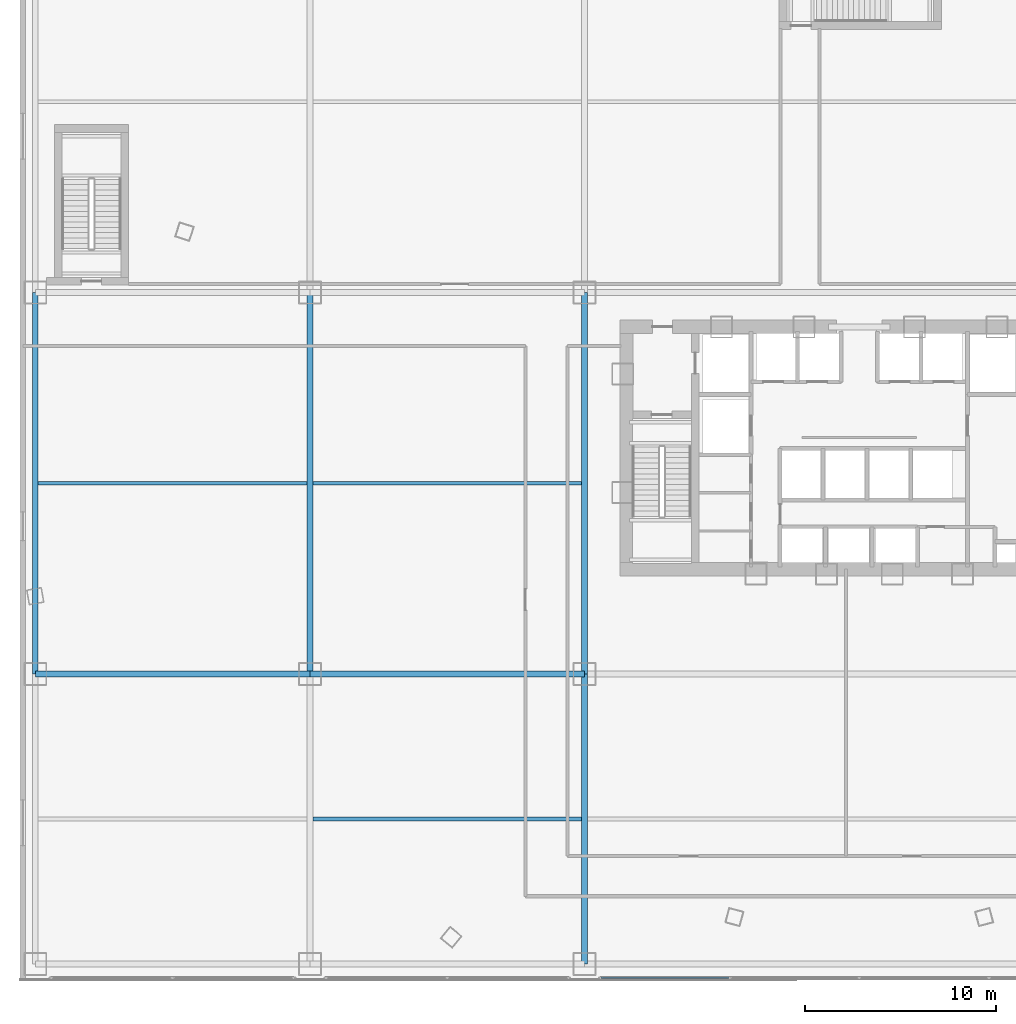
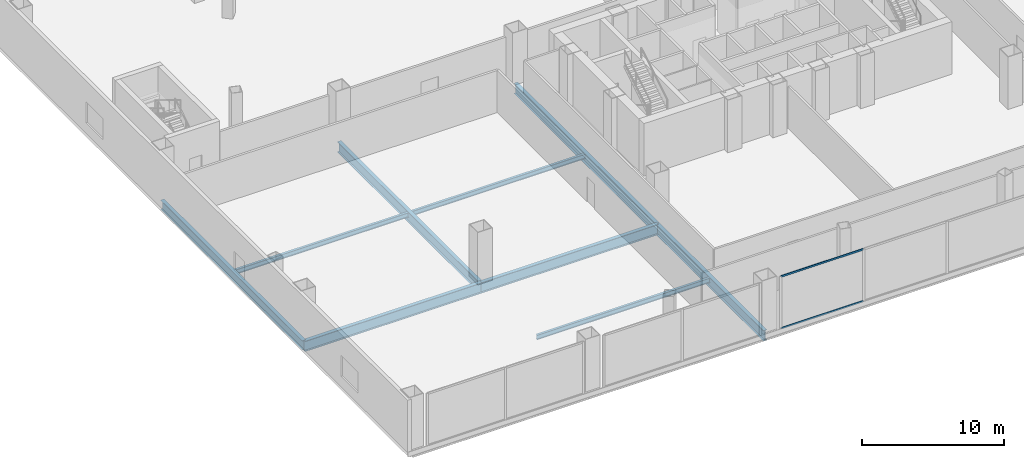
# One storey, part 6 of 40: 9 beams, 2 members, 1 element without a shape of its own.
"""IFC4 building model written with IfcOpenShell, lengths in metres."""

from ifc_helpers import new_model, si_unit, direction, frame, origin, origin_2d, place, context, subcontext, project, spatial, hollow_rectangle, i_section, extrude, source, transform, mapped, material, layer, layer_set, material_profile, profile_set, type_object, element, aggregate, save


model = new_model("IFC4")

# Units and contexts
model_context = context("Model", 3, precision=1e-05, world=origin(), true_north=direction((0.0, 1.0)))
body_context = subcontext(model_context, "Body", "Model", "MODEL_VIEW")
ifc_project = project(units=[si_unit("LENGTHUNIT", "METRE"), si_unit("AREAUNIT", "SQUARE_METRE"), si_unit("VOLUMEUNIT", "CUBIC_METRE"), si_unit("PLANEANGLEUNIT", "RADIAN"), si_unit("MASSUNIT", "GRAM", prefix="KILO"), si_unit("THERMODYNAMICTEMPERATUREUNIT", "KELVIN"), si_unit("POWERUNIT", "WATT")], contexts=[model_context])

# Site, building, storey
site_placement = place(None, origin())
site = spatial("IfcSite", under=ifc_project, at=site_placement, CompositionType="ELEMENT")
building_placement = place(site_placement, origin())
building = spatial("IfcBuilding", under=site, at=building_placement, Name="Yunzhuo Pagoda Commons", CompositionType="ELEMENT")
storey_placement = place(building_placement, frame((0.0, 0.0, 14.39990234375)))
storey = spatial("IfcBuildingStorey", under=building, at=storey_placement, Name="L04", CompositionType="ELEMENT", Elevation=14.39990234375)

# Beams
ifc_material_1 = material(Name="Structural steel Q355B", Category="steel")
ifc_material_profile_1 = material_profile(ifc_material_1, i_section(OverallWidth=0.300048828125, OverallDepth=0.89990234375, WebThickness=0.01611328125, FlangeThickness=0.028076171875, at=origin_2d()), Name="Structural steel Q355B")
ifc_profile_set_1 = profile_set([ifc_material_profile_1], Name="Structural steel Q355B")
beam_type_1 = type_object("IfcBeamType", Name="B-PD1 Beam HN 900x300x16x28", PredefinedType="BEAM", material=ifc_profile_set_1)
shared_shape_1 = source(origin(), body_context, "Body", "SweptSolid", [
    extrude(i_section(OverallWidth=0.300048828125, OverallDepth=0.89990234375, WebThickness=0.01611328125, FlangeThickness=0.028076171875, at=origin_2d()), origin(), (0.0, 0.0, 1.0), 14.39990234375),
])
beam_1_placement = place(storey_placement, frame((4.800048828125, 22.0, -0.72998046875), z_axis=(1.0, 0.0, 0.0), x_axis=(0.0, 1.0, 0.0)))
element("IfcBeam", 1, at=beam_1_placement, inside=storey, type_object=beam_type_1, Name="L04 podium girder EW 2.1", PredefinedType="BEAM", context=body_context, shape_type="MappedRepresentation", body=[
    mapped(shared_shape_1, transform((0.0, 0.0, 0.0), scale=1.0)),
])
shared_shape_2 = source(origin(), body_context, "Body", "SweptSolid", [
    extrude(i_section(OverallWidth=0.300048828125, OverallDepth=0.89990234375, WebThickness=0.01611328125, FlangeThickness=0.028076171875, at=origin_2d()), origin(), (0.0, 0.0, 1.0), 14.400146484375),
])
beam_2_placement = place(storey_placement, frame((19.199951171875, 22.0, -0.72998046875), z_axis=(1.0, 0.0, 0.0), x_axis=(0.0, 1.0, 0.0)))
element("IfcBeam", 2, at=beam_2_placement, inside=storey, type_object=beam_type_1, Name="L04 podium girder EW 2.2", PredefinedType="BEAM", context=body_context, shape_type="MappedRepresentation", body=[
    mapped(shared_shape_2, transform((0.0, 0.0, 0.0), scale=1.0)),
])
ifc_material_profile_2 = material_profile(ifc_material_1, i_section(OverallWidth=0.199951171875, OverallDepth=0.39990234375, WebThickness=0.008056640625, FlangeThickness=0.012939453125, at=origin_2d()), Name="Structural steel Q355B")
ifc_profile_set_2 = profile_set([ifc_material_profile_2], Name="Structural steel Q355B")
beam_type_2 = type_object("IfcBeamType", Name="B-JS1 Joist HN 400x200x8x13", PredefinedType="JOIST", material=ifc_profile_set_2)
shared_shape_3 = source(origin(), body_context, "Body", "SweptSolid", [
    extrude(i_section(OverallWidth=0.199951171875, OverallDepth=0.39990234375, WebThickness=0.008056640625, FlangeThickness=0.012939453125, at=origin_2d()), origin(), (0.0, 0.0, 1.0), 14.08984375),
])
for number, where, z_axis, x_axis, name in (
    (3, (4.955078125, 32.0, -0.47998046875), (1.0, 0.0, 0.0), (0.0, 1.0, 0.0), "L04 podium composite joist 1.2"),
    (4, (19.355224609375, 14.39990234375, -0.47998046875), (1.0, 0.0, 0.0), (0.0, 1.0, 0.0), "L04 podium composite joist 2.1"),
    (5, (19.355224609375, 32.0, -0.47998046875), (1.0, 0.0, 0.0), (0.0, 1.0, 0.0), "L04 podium composite joist 2.2"),
):
    element("IfcBeam", number, at=place(storey_placement, frame(where, z_axis=z_axis, x_axis=x_axis)), inside=storey, type_object=beam_type_2, Name=name, PredefinedType="JOIST", context=body_context, shape_type="MappedRepresentation", body=[
        mapped(shared_shape_3, transform((0.0, 0.0, 0.0), scale=1.0)),
    ])
ifc_material_profile_3 = material_profile(ifc_material_1, i_section(OverallWidth=0.300048828125, OverallDepth=0.800048828125, WebThickness=0.013916015625, FlangeThickness=0.02587890625, at=origin_2d()), Name="Structural steel Q355B")
ifc_profile_set_3 = profile_set([ifc_material_profile_3], Name="Structural steel Q355B")
beam_type_3 = type_object("IfcBeamType", Name="B-PD2 Beam HN 800x300x14x26", PredefinedType="BEAM", material=ifc_profile_set_3)
shared_shape_4 = source(origin(), body_context, "Body", "SweptSolid", [
    extrude(i_section(OverallWidth=0.300048828125, OverallDepth=0.800048828125, WebThickness=0.013916015625, FlangeThickness=0.02587890625, at=origin_2d()), origin(), (0.0, 0.0, 1.0), 20.0),
])
beam_3_placement = place(storey_placement, frame((4.800048828125, 22.0, -0.679931640625), z_axis=(0.0, 1.0, 0.0), x_axis=(-1.0, 0.0, 0.0)))
element("IfcBeam", 6, at=beam_3_placement, inside=storey, type_object=beam_type_3, Name="L04 podium girder NS 1.2", PredefinedType="BEAM", context=body_context, shape_type="MappedRepresentation", body=[
    mapped(shared_shape_4, transform((0.0, 0.0, 0.0), scale=1.0)),
])
shared_shape_5 = source(origin(), body_context, "Body", "SweptSolid", [
    extrude(i_section(OverallWidth=0.300048828125, OverallDepth=0.89990234375, WebThickness=0.01611328125, FlangeThickness=0.028076171875, at=origin_2d()), origin(), (0.0, 0.0, 1.0), 15.199951171875),
])
beam_4_placement = place(storey_placement, frame((33.60009765625, 6.800048828125, -0.72998046875), z_axis=(0.0, 1.0, 0.0), x_axis=(-1.0, 0.0, 0.0)))
element("IfcBeam", 7, at=beam_4_placement, inside=storey, type_object=beam_type_1, Name="L04 podium girder NS 3.1", PredefinedType="BEAM", context=body_context, shape_type="MappedRepresentation", body=[
    mapped(shared_shape_5, transform((0.0, 0.0, 0.0), scale=1.0)),
])
shared_shape_6 = source(origin(), body_context, "Body", "SweptSolid", [
    extrude(i_section(OverallWidth=0.300048828125, OverallDepth=0.89990234375, WebThickness=0.01611328125, FlangeThickness=0.028076171875, at=origin_2d()), origin(), (0.0, 0.0, 1.0), 20.0),
])
for number, where, z_axis, x_axis, name in (
    (8, (19.199951171875, 22.0, -0.72998046875), (0.0, 1.0, 0.0), (-1.0, 0.0, 0.0), "L04 podium girder NS 2.2"),
    (9, (33.60009765625, 22.0, -0.72998046875), (0.0, 1.0, 0.0), (-1.0, 0.0, 0.0), "L04 podium girder NS 3.2"),
):
    element("IfcBeam", number, at=place(storey_placement, frame(where, z_axis=z_axis, x_axis=x_axis)), inside=storey, type_object=beam_type_1, Name=name, PredefinedType="BEAM", context=body_context, shape_type="MappedRepresentation", body=[
        mapped(shared_shape_6, transform((0.0, 0.0, 0.0), scale=1.0)),
    ])

# Curtain wall, members
ifc_material_2 = material(Name="Anodized aluminium 6063-T6", Category="aluminium")
ifc_layer = layer(ifc_material_2, 0.179931640625)
ifc_layer_set = layer_set([ifc_layer], Name="Anodized aluminium 6063-T6")
curtain_wall_type = type_object("IfcCurtainWallType", Name="CW-POD Waterfront Podium Curtain Wall", PredefinedType="NOTDEFINED", material=ifc_layer_set)
curtain_wall_placement = place(storey_placement, origin())
curtain_wall = element("IfcCurtainWall", 10, at=curtain_wall_placement, inside=storey, type_object=curtain_wall_type, Name="L04 curtain wall CW-L04-S3", PredefinedType="NOTDEFINED")
ifc_material_profile_4 = material_profile(ifc_material_2, hollow_rectangle(XDim=0.06005859375, YDim=0.14990234375, WallThickness=0.00390625, at=origin_2d()), Name="Anodized aluminium 6063-T6")
ifc_profile_set_4 = profile_set([ifc_material_profile_4], Name="Anodized aluminium 6063-T6")
member_type = type_object("IfcMemberType", Name="CW-POD-T Transom RHS 150x60x4", PredefinedType="USERDEFINED", material=ifc_profile_set_4)
shared_shape_7 = source(origin(), body_context, "Body", "SweptSolid", [
    extrude(hollow_rectangle(XDim=0.06005859375, YDim=0.14990234375, WallThickness=0.00390625, at=origin_2d()), origin(), (0.0, 0.0, 1.0), 6.70263671875),
])
member_1_placement = place(storey_placement, frame((34.465087890625, 6.080078125, 0.030029296875), z_axis=(1.0, 0.0, 0.0), x_axis=(0.0, 1.0, 0.0)))
member_1 = element("IfcMember", 11, at=member_1_placement, type_object=member_type, Name="CW transom 1.1", ObjectType="TRANSOM", PredefinedType="USERDEFINED", context=body_context, shape_type="MappedRepresentation", body=[
    mapped(shared_shape_7, transform((0.0, 0.0, 0.0), scale=1.0)),
])
member_2_placement = place(storey_placement, frame((34.465087890625, 6.080078125, 4.489990234375), z_axis=(1.0, 0.0, 0.0), x_axis=(0.0, 1.0, 0.0)))
member_2 = element("IfcMember", 12, at=member_2_placement, type_object=member_type, Name="CW transom 1.2", ObjectType="TRANSOM", PredefinedType="USERDEFINED", context=body_context, shape_type="MappedRepresentation", body=[
    mapped(shared_shape_7, transform((0.0, 0.0, 0.0), scale=1.0)),
])
aggregate(curtain_wall, [member_1, member_2])

save(model, "model.ifc")
